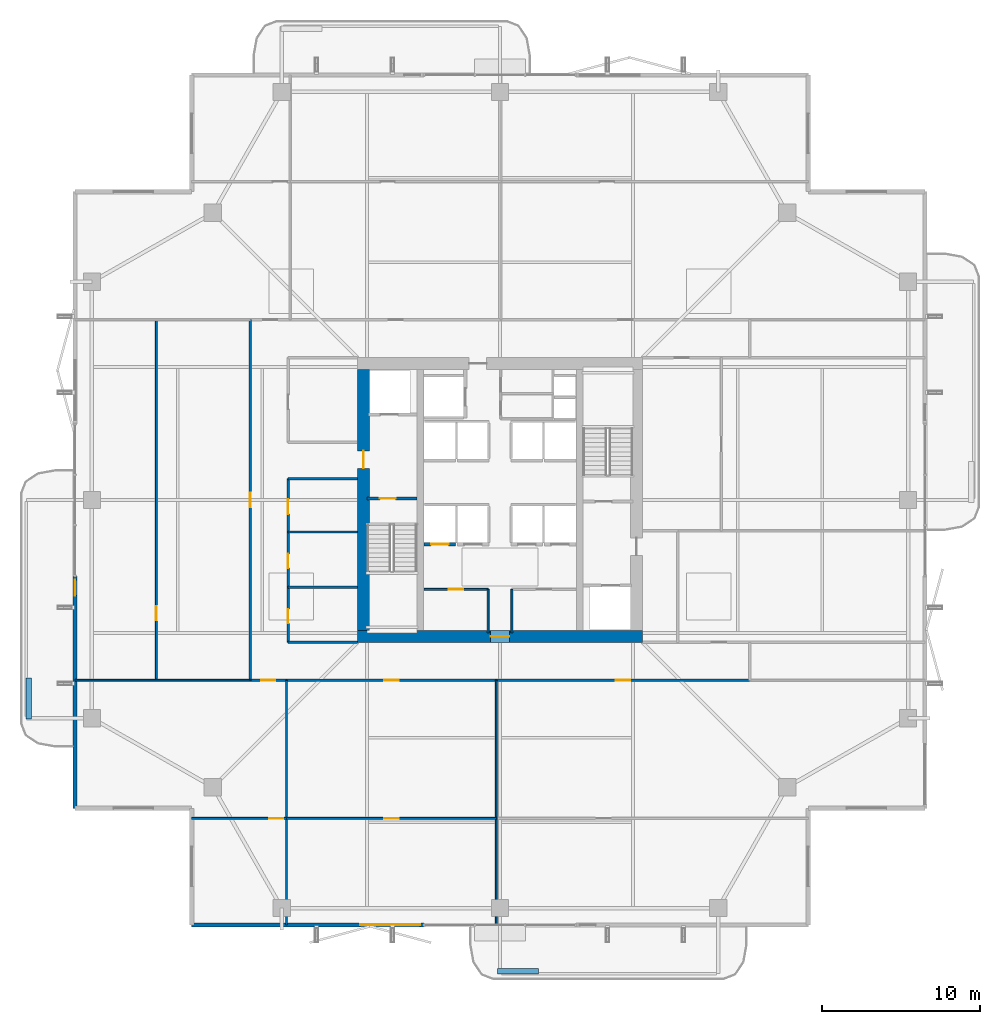
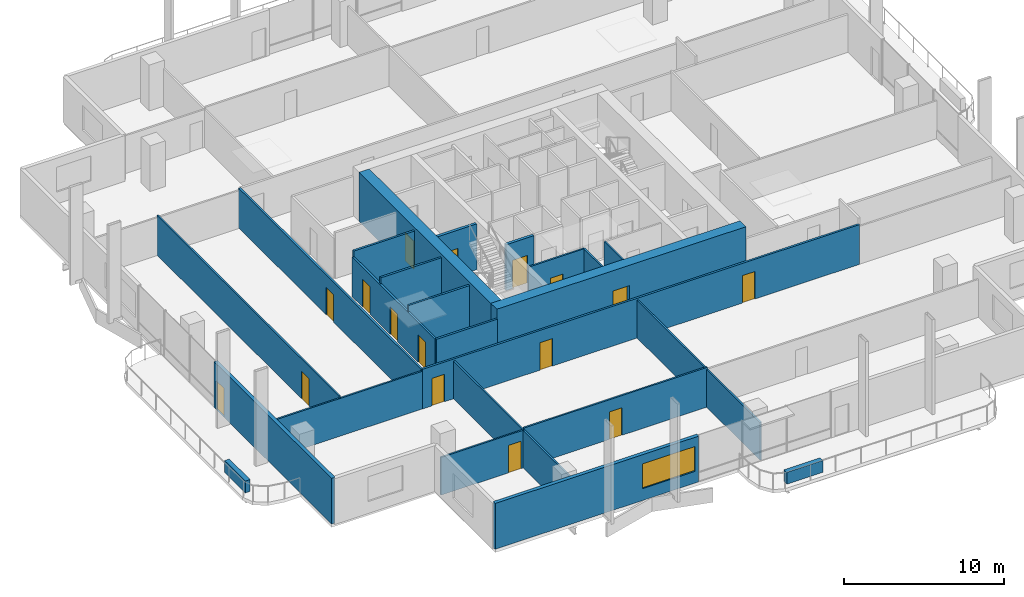
# One storey, part 17 of 24: 24 walls, 16 doors, 1 window, 17 openings.
"""IFC4 building model written with IfcOpenShell, lengths in metres."""

from ifc_helpers import new_model, si_unit, direction, frame, frame_2d, origin, place, context, subcontext, project, spatial, rectangle, extrude, material, layer, layer_set, type_object, element, fill, save


model = new_model("IFC4")

# Units and contexts
model_context = context("Model", 3, precision=1e-05, world=origin(), true_north=direction((0.0, 1.0)))
body_context = subcontext(model_context, "Body", "Model", "MODEL_VIEW")
ifc_project = project(units=[si_unit("LENGTHUNIT", "METRE"), si_unit("AREAUNIT", "SQUARE_METRE"), si_unit("VOLUMEUNIT", "CUBIC_METRE"), si_unit("PLANEANGLEUNIT", "RADIAN"), si_unit("MASSUNIT", "GRAM", prefix="KILO")], contexts=[model_context])

# Site, building, storey
site_placement = place(None, origin())
site = spatial("IfcSite", under=ifc_project, at=site_placement, CompositionType="ELEMENT")
building_placement = place(site_placement, origin())
building = spatial("IfcBuilding", under=site, at=building_placement, Name="Belovzor Exchange Tower", CompositionType="ELEMENT")
storey_placement = place(building_placement, frame((0.0, 0.0, 211.199951171875)))
storey = spatial("IfcBuildingStorey", under=building, at=storey_placement, Name="L52", CompositionType="ELEMENT", Elevation=211.199951171875)

# Wall, opening, door
ifc_material_1 = material(Name="Acoustic Plasterboard on Galvanised Studs", Category="gypsum")
ifc_layer_1 = layer(ifc_material_1, 0.1201171875)
ifc_layer_set_1 = layer_set([ifc_layer_1], Name="Acoustic Plasterboard on Galvanised Studs")
wall_type_1 = type_object("IfcWallType", Name="Acoustic Double-Stud Partition Wall 120", PredefinedType="PARTITIONING", material=ifc_layer_set_1)
wall_1_placement = place(storey_placement, frame((9.300048828125, 8.6650390625, 0.0), z_axis=(0.0, 0.0, 1.0), x_axis=(1.0, 0.0, 0.0)))
wall_1 = element("IfcWall", 1, at=wall_1_placement, inside=storey, type_object=wall_type_1, Name="W-P120 Partition Wall W-L52-SHDIV-0", PredefinedType="PARTITIONING", context=body_context, shape_type="SweptSolid", body=[
    extrude(rectangle(XDim=6.0, YDim=0.1201171875, at=frame_2d((3.0, 0.0))), origin(), (0.0, 0.0, 1.0), 2.885009765625),
])
opening_1_placement = place(wall_1_placement, frame((4.89990234375, 0.0, 0.0)))
opening_1 = element("IfcOpeningElement", 2, at=opening_1_placement, cuts=wall_1, Name="Opening D-INT-090", PredefinedType="OPENING", context=body_context, shape_type="SweptSolid", body=[
    extrude(rectangle(XDim=0.89990234375, YDim=2.10009765625, at=frame_2d((0.449951171875, 1.050048828125))), frame((0.0, 0.070068359375, 0.0), z_axis=(0.0, -1.0, 0.0), x_axis=(1.0, 0.0, 0.0)), (0.0, 0.0, 1.0), 0.14013671875),
])
ifc_material_2 = material(Name="Veneered Hardwood Acoustic Leaf", Category="wood")
door_type_1 = type_object("IfcDoorType", Name="Trading Suite Acoustic Single Door 900x2100", OperationType="NOTDEFINED", PredefinedType="DOOR", material=ifc_material_2)
door_1_placement = place(opening_1_placement, origin())
door_1 = element("IfcDoor", 3, at=door_1_placement, inside=storey, type_object=door_type_1, Name="D-INT-090 Trading Suite Acoustic Single Door 900x2100", OperationType="SINGLE_SWING_LEFT", OverallHeight=2.10009765625, OverallWidth=0.89990234375, PredefinedType="DOOR", context=body_context, shape_type="SweptSolid", body=[
    extrude(rectangle(XDim=0.89990234375, YDim=2.10009765625, at=frame_2d((0.449951171875, 1.050048828125))), frame((0.0, 0.02490234375, 0.0), z_axis=(0.0, -1.0, 0.0), x_axis=(1.0, 0.0, 0.0)), (0.0, 0.0, 1.0), 0.050048828125),
])
fill(opening_1, door_1)

# Wall
wall_2_placement = place(storey_placement, frame((15.300048828125, 1.929931640625, 0.0), z_axis=(0.0, 0.0, 1.0), x_axis=(0.0, 1.0, 0.0)))
element("IfcWall", 4, at=wall_2_placement, inside=storey, type_object=wall_type_1, Name="W-P120 Partition Wall W-L52-SDIV-1", PredefinedType="PARTITIONING", context=body_context, shape_type="SweptSolid", body=[
    extrude(rectangle(XDim=15.469970703125, YDim=0.1201171875, at=frame_2d((7.73486328125, 0.0))), origin(), (0.0, 0.0, 1.0), 2.885009765625),
])

# Wall, opening, door
wall_3_placement = place(storey_placement, frame((15.300048828125, 8.6650390625, 0.0), z_axis=(0.0, 0.0, 1.0), x_axis=(1.0, 0.0, 0.0)))
wall_3 = element("IfcWall", 5, at=wall_3_placement, inside=storey, type_object=wall_type_1, Name="W-P120 Partition Wall W-L52-SHDIV-1", PredefinedType="PARTITIONING", context=body_context, shape_type="SweptSolid", body=[
    extrude(rectangle(XDim=13.265869140625, YDim=0.1201171875, at=frame_2d((6.6328125, 0.0))), origin(), (0.0, 0.0, 1.0), 3.03515625),
])
opening_2_placement = place(wall_3_placement, frame((6.18310546875, 0.0, 0.0)))
opening_2 = element("IfcOpeningElement", 6, at=opening_2_placement, cuts=wall_3, Name="Opening D-INT-090", PredefinedType="OPENING", context=body_context, shape_type="SweptSolid", body=[
    extrude(rectangle(XDim=0.89990234375, YDim=2.10009765625, at=frame_2d((0.449951171875, 1.050048828125))), frame((0.0, 0.070068359375, 0.0), z_axis=(0.0, -1.0, 0.0), x_axis=(1.0, 0.0, 0.0)), (0.0, 0.0, 1.0), 0.14013671875),
])
door_2_placement = place(opening_2_placement, origin())
door_2 = element("IfcDoor", 7, at=door_2_placement, inside=storey, type_object=door_type_1, Name="D-INT-090 Trading Suite Acoustic Single Door 900x2100", OperationType="SINGLE_SWING_LEFT", OverallHeight=2.10009765625, OverallWidth=0.89990234375, PredefinedType="DOOR", context=body_context, shape_type="SweptSolid", body=[
    extrude(rectangle(XDim=0.89990234375, YDim=2.10009765625, at=frame_2d((0.449951171875, 1.050048828125))), frame((0.0, 0.02490234375, 0.0), z_axis=(0.0, -1.0, 0.0), x_axis=(1.0, 0.0, 0.0)), (0.0, 0.0, 1.0), 0.050048828125),
])
fill(opening_2, door_2)

# Wall
wall_4_placement = place(storey_placement, frame((28.56591796875, 1.929931640625, 0.0), z_axis=(0.0, 0.0, 1.0), x_axis=(0.0, 1.0, 0.0)))
element("IfcWall", 8, at=wall_4_placement, inside=storey, type_object=wall_type_1, Name="W-P120 Partition Wall W-L52-SDIV-2", PredefinedType="PARTITIONING", context=body_context, shape_type="SweptSolid", body=[
    extrude(rectangle(XDim=15.469970703125, YDim=0.1201171875, at=frame_2d((7.73486328125, 0.0))), origin(), (0.0, 0.0, 1.0), 2.885009765625),
])

# Wall, opening, door
wall_5_placement = place(storey_placement, frame((7.072998046875, 17.39990234375, 0.0), z_axis=(0.0, 0.0, 1.0), x_axis=(0.0, 1.0, 0.0)))
wall_5 = element("IfcWall", 9, at=wall_5_placement, inside=storey, type_object=wall_type_1, Name="W-P120 Partition Wall W-L52-WHDIV-0", PredefinedType="PARTITIONING", context=body_context, shape_type="SweptSolid", body=[
    extrude(rectangle(XDim=22.800048828125, YDim=0.1201171875, at=frame_2d((11.39990234375, 0.0))), origin(), (0.0, 0.0, 1.0), 3.03515625),
])
opening_3_placement = place(wall_5_placement, frame((3.782958984375, 0.0, 0.0)))
opening_3 = element("IfcOpeningElement", 10, at=opening_3_placement, cuts=wall_5, Name="Opening D-INT-090", PredefinedType="OPENING", context=body_context, shape_type="SweptSolid", body=[
    extrude(rectangle(XDim=0.89990234375, YDim=2.10009765625, at=frame_2d((0.449951171875, 1.050048828125))), frame((0.0, 0.070068359375, 0.0), z_axis=(0.0, -1.0, 0.0), x_axis=(1.0, 0.0, 0.0)), (0.0, 0.0, 1.0), 0.14013671875),
])
door_3_placement = place(opening_3_placement, origin())
door_3 = element("IfcDoor", 11, at=door_3_placement, inside=storey, type_object=door_type_1, Name="D-INT-090 Trading Suite Acoustic Single Door 900x2100", OperationType="SINGLE_SWING_LEFT", OverallHeight=2.10009765625, OverallWidth=0.89990234375, PredefinedType="DOOR", context=body_context, shape_type="SweptSolid", body=[
    extrude(rectangle(XDim=0.89990234375, YDim=2.10009765625, at=frame_2d((0.449951171875, 1.050048828125))), frame((0.0, 0.02490234375, 0.0), z_axis=(0.0, -1.0, 0.0), x_axis=(1.0, 0.0, 0.0)), (0.0, 0.0, 1.0), 0.050048828125),
])
fill(opening_3, door_3)

# Wall
wall_6_placement = place(storey_placement, frame((1.929931640625, 17.39990234375, 0.0), z_axis=(0.0, 0.0, 1.0), x_axis=(1.0, 0.0, 0.0)))
element("IfcWall", 12, at=wall_6_placement, inside=storey, type_object=wall_type_1, Name="W-P120 Partition Wall W-L52-END-SW", PredefinedType="PARTITIONING", context=body_context, shape_type="SweptSolid", body=[
    extrude(rectangle(XDim=11.070068359375, YDim=0.1201171875, at=frame_2d((5.53515625, 0.0))), origin(), (0.0, 0.0, 1.0), 2.885009765625),
])

# Wall, opening, door
ifc_material_3 = material(Name="Fire-Rated Plasterboard on Galvanised Studs", Category="gypsum")
ifc_layer_2 = layer(ifc_material_3, 0.1201171875)
ifc_layer_set_2 = layer_set([ifc_layer_2], Name="Fire-Rated Plasterboard on Galvanised Studs")
wall_type_2 = type_object("IfcWallType", Name="Fire-Rated Double-Stud Partition Wall 120", PredefinedType="PARTITIONING", material=ifc_layer_set_2)
wall_7_placement = place(storey_placement, frame((24.0, 23.14990234375, 0.0), z_axis=(0.0, 0.0, 1.0), x_axis=(1.0, 0.0, 0.0)))
wall_7 = element("IfcWall", 13, at=wall_7_placement, inside=storey, type_object=wall_type_2, Name="W-P120F Partition Wall W-CRL-L52-WN", PredefinedType="PARTITIONING", context=body_context, shape_type="SweptSolid", body=[
    extrude(rectangle(XDim=4.050048828125, YDim=0.1201171875, at=frame_2d((2.02490234375, 0.0))), origin(), (0.0, 0.0, 1.0), 3.5),
])
opening_4_placement = place(wall_7_placement, frame((1.574951171875, 0.0, 0.0)))
opening_4 = element("IfcOpeningElement", 14, at=opening_4_placement, cuts=wall_7, Name="Opening D-FD60-090", PredefinedType="OPENING", context=body_context, shape_type="SweptSolid", body=[
    extrude(rectangle(XDim=0.89990234375, YDim=2.10009765625, at=frame_2d((0.449951171875, 1.050048828125))), frame((0.0, 0.070068359375, 0.0), z_axis=(0.0, -1.0, 0.0), x_axis=(1.0, 0.0, 0.0)), (0.0, 0.0, 1.0), 0.14013671875),
])
ifc_material_4 = material(Name="Acoustic Timber Fire Leaf", Category="wood")
door_type_2 = type_object("IfcDoorType", Name="Core Service & Restroom Fire Door 900x2100", OperationType="NOTDEFINED", PredefinedType="DOOR", material=ifc_material_4)
door_4_placement = place(opening_4_placement, origin())
door_4 = element("IfcDoor", 15, at=door_4_placement, inside=storey, type_object=door_type_2, Name="D-FD60-090 Core Service & Restroom Fire Door 900x2100", OperationType="SINGLE_SWING_LEFT", OverallHeight=2.10009765625, OverallWidth=0.89990234375, PredefinedType="DOOR", context=body_context, shape_type="SweptSolid", body=[
    extrude(rectangle(XDim=0.89990234375, YDim=2.10009765625, at=frame_2d((0.449951171875, 1.050048828125))), frame((0.0, 0.02490234375, 0.0), z_axis=(0.0, -1.0, 0.0), x_axis=(1.0, 0.0, 0.0)), (0.0, 0.0, 1.0), 0.050048828125),
])
fill(opening_4, door_4)

# Walls
for number, where, z_axis, x_axis, name in (
    (16, (28.050048828125, 20.39990234375, 0.0), (0.0, 0.0, 1.0), (0.0, 1.0, 0.0), "W-P120F Partition Wall W-CRL-L52-WE"),
    (17, (29.550048828125, 20.39990234375, 0.0), (0.0, 0.0, 1.0), (0.0, 1.0, 0.0), "W-P120F Partition Wall W-CRL-L52-EW"),
):
    element("IfcWall", number, at=place(storey_placement, frame(where, z_axis=z_axis, x_axis=x_axis)), inside=storey, type_object=wall_type_2, Name=name, PredefinedType="PARTITIONING", context=body_context, shape_type="SweptSolid", body=[
        extrude(rectangle(XDim=2.75, YDim=0.1201171875, at=frame_2d((1.375, 0.0))), origin(), (0.0, 0.0, 1.0), 3.5),
    ])
ifc_material_5 = material(Name="Fire-Rated Gypsum Block and Mineral Wool", Category="gypsum")
ifc_layer_3 = layer(ifc_material_5, 0.14990234375)
ifc_layer_set_3 = layer_set([ifc_layer_3], Name="Fire-Rated Gypsum Block and Mineral Wool")
wall_type_3 = type_object("IfcWallType", Name="Fire-Rated Gypsum Block Corridor Wall 150", PredefinedType="PARTITIONING", material=ifc_layer_set_3)
wall_8_placement = place(storey_placement, frame((15.39990234375, 19.800048828125, 0.0), z_axis=(0.0, 0.0, 1.0), x_axis=(1.0, 0.0, 0.0)))
element("IfcWall", 18, at=wall_8_placement, inside=storey, type_object=wall_type_3, Name="W-P150 Partition Wall W-L52-WIC-S", PredefinedType="PARTITIONING", context=body_context, shape_type="SweptSolid", body=[
    extrude(rectangle(XDim=4.400146484375, YDim=0.14990234375, at=frame_2d((2.2001953125, 0.0))), origin(), (0.0, 0.0, 1.0), 3.03515625),
])
for number, where, z_axis, x_axis, name in (
    (19, (15.39990234375, 23.27490234375, 0.0), (0.0, 0.0, 1.0), (1.0, 0.0, 0.0), "W-P150 Partition Wall W-L52-WIC-D1"),
    (20, (15.39990234375, 26.77490234375, 0.0), (0.0, 0.0, 1.0), (1.0, 0.0, 0.0), "W-P150 Partition Wall W-L52-WIC-D2"),
    (21, (15.39990234375, 30.14990234375, 0.0), (0.0, 0.0, 1.0), (1.0, 0.0, 0.0), "W-P150 Partition Wall W-L52-WIC-N"),
):
    element("IfcWall", number, at=place(storey_placement, frame(where, z_axis=z_axis, x_axis=x_axis)), inside=storey, type_object=wall_type_3, Name=name, PredefinedType="PARTITIONING", context=body_context, shape_type="SweptSolid", body=[
        extrude(rectangle(XDim=4.400146484375, YDim=0.14990234375, at=frame_2d((2.2001953125, 0.0))), origin(), (0.0, 0.0, 1.0), 3.5),
    ])

# Wall, openings, doors
wall_9_placement = place(storey_placement, frame((15.39990234375, 19.800048828125, 0.0), z_axis=(0.0, 0.0, 1.0), x_axis=(0.0, 1.0, 0.0)))
wall_9 = element("IfcWall", 22, at=wall_9_placement, inside=storey, type_object=wall_type_3, Name="W-P150 Partition Wall W-L52-WIE-S", PredefinedType="PARTITIONING", context=body_context, shape_type="SweptSolid", body=[
    extrude(rectangle(XDim=10.349853515625, YDim=0.14990234375, at=frame_2d((5.1748046875, 0.0))), origin(), (0.0, 0.0, 1.0), 3.03515625),
])
opening_5_placement = place(wall_9_placement, frame((1.199951171875, 0.0, 0.0)))
opening_5 = element("IfcOpeningElement", 23, at=opening_5_placement, cuts=wall_9, Name="Opening D-FD60-090", PredefinedType="OPENING", context=body_context, shape_type="SweptSolid", body=[
    extrude(rectangle(XDim=0.89990234375, YDim=2.10009765625, at=frame_2d((0.449951171875, 1.050048828125))), frame((0.0, 0.0849609375, 0.0), z_axis=(0.0, -1.0, 0.0), x_axis=(1.0, 0.0, 0.0)), (0.0, 0.0, 1.0), 0.169921875),
])
opening_6_placement = place(wall_9_placement, frame((4.699951171875, 0.0, 0.0)))
opening_6 = element("IfcOpeningElement", 24, at=opening_6_placement, cuts=wall_9, Name="Opening D-FD60-090", PredefinedType="OPENING", context=body_context, shape_type="SweptSolid", body=[
    extrude(rectangle(XDim=0.89990234375, YDim=2.10009765625, at=frame_2d((0.449951171875, 1.050048828125))), frame((0.0, 0.0849609375, 0.0), z_axis=(0.0, -1.0, 0.0), x_axis=(1.0, 0.0, 0.0)), (0.0, 0.0, 1.0), 0.169921875),
])
opening_7_placement = place(wall_9_placement, frame((8.10009765625, 0.0, 0.0)))
opening_7 = element("IfcOpeningElement", 25, at=opening_7_placement, cuts=wall_9, Name="Opening D-FD60-095", PredefinedType="OPENING", context=body_context, shape_type="SweptSolid", body=[
    extrude(rectangle(XDim=0.949951171875, YDim=2.10009765625, at=frame_2d((0.47509765625, 1.050048828125))), frame((0.0, 0.0849609375, 0.0), z_axis=(0.0, -1.0, 0.0), x_axis=(1.0, 0.0, 0.0)), (0.0, 0.0, 1.0), 0.169921875),
])
ifc_material_6 = material(Name="Moisture-Resistant Timber Fire Leaf", Category="wood")
door_type_3 = type_object("IfcDoorType", Name="Accessible Restroom Wide Fire Door 950x2100", OperationType="NOTDEFINED", PredefinedType="DOOR", material=ifc_material_6)
door_5_placement = place(opening_7_placement, origin())
door_5 = element("IfcDoor", 26, at=door_5_placement, inside=storey, type_object=door_type_3, Name="D-FD60-095 Accessible Restroom Wide Fire Door 950x2100", OperationType="SINGLE_SWING_LEFT", OverallHeight=2.10009765625, OverallWidth=0.949951171875, PredefinedType="DOOR", context=body_context, shape_type="SweptSolid", body=[
    extrude(rectangle(XDim=0.949951171875, YDim=2.10009765625, at=frame_2d((0.47509765625, 1.050048828125))), frame((0.0, 0.02490234375, 0.0), z_axis=(0.0, -1.0, 0.0), x_axis=(1.0, 0.0, 0.0)), (0.0, 0.0, 1.0), 0.050048828125),
])
fill(opening_7, door_5)
door_6_placement = place(opening_5_placement, origin())
door_6 = element("IfcDoor", 27, at=door_6_placement, inside=storey, type_object=door_type_2, Name="D-FD60-090 Core Service & Restroom Fire Door 900x2100", OperationType="SINGLE_SWING_LEFT", OverallHeight=2.10009765625, OverallWidth=0.89990234375, PredefinedType="DOOR", context=body_context, shape_type="SweptSolid", body=[
    extrude(rectangle(XDim=0.89990234375, YDim=2.10009765625, at=frame_2d((0.449951171875, 1.050048828125))), frame((0.0, 0.02490234375, 0.0), z_axis=(0.0, -1.0, 0.0), x_axis=(1.0, 0.0, 0.0)), (0.0, 0.0, 1.0), 0.050048828125),
])
fill(opening_5, door_6)
door_7_placement = place(opening_6_placement, origin())
door_7 = element("IfcDoor", 28, at=door_7_placement, inside=storey, type_object=door_type_2, Name="D-FD60-090 Core Service & Restroom Fire Door 900x2100", OperationType="SINGLE_SWING_RIGHT", OverallHeight=2.10009765625, OverallWidth=0.89990234375, PredefinedType="DOOR", context=body_context, shape_type="SweptSolid", body=[
    extrude(rectangle(XDim=0.89990234375, YDim=2.10009765625, at=frame_2d((0.449951171875, 1.050048828125))), frame((0.0, 0.02490234375, 0.0), z_axis=(0.0, -1.0, 0.0), x_axis=(1.0, 0.0, 0.0)), (0.0, 0.0, 1.0), 0.050048828125),
])
fill(opening_6, door_7)

wall_10_placement = place(storey_placement, frame((13.0, 17.39990234375, 0.0), z_axis=(0.0, 0.0, 1.0), x_axis=(1.0, 0.0, 0.0)))
wall_10 = element("IfcWall", 29, at=wall_10_placement, inside=storey, type_object=wall_type_3, Name="W-P150 Partition Wall W-L52-CS", PredefinedType="PARTITIONING", context=body_context, shape_type="SweptSolid", body=[
    extrude(rectangle(XDim=31.60009765625, YDim=0.14990234375, at=frame_2d((15.800048828125, 0.0))), origin(), (0.0, 0.0, 1.0), 3.03515625),
])
opening_8_placement = place(wall_10_placement, frame((0.699951171875, 0.0, 0.0)))
opening_8 = element("IfcOpeningElement", 30, at=opening_8_placement, cuts=wall_10, Name="Opening D-INT-090", PredefinedType="OPENING", context=body_context, shape_type="SweptSolid", body=[
    extrude(rectangle(XDim=0.89990234375, YDim=2.10009765625, at=frame_2d((0.449951171875, 1.050048828125))), frame((0.0, 0.0849609375, 0.0), z_axis=(0.0, -1.0, 0.0), x_axis=(1.0, 0.0, 0.0)), (0.0, 0.0, 1.0), 0.169921875),
])
opening_9_placement = place(wall_10_placement, frame((8.48291015625, 0.0, 0.0)))
opening_9 = element("IfcOpeningElement", 31, at=opening_9_placement, cuts=wall_10, Name="Opening D-INT-090", PredefinedType="OPENING", context=body_context, shape_type="SweptSolid", body=[
    extrude(rectangle(XDim=0.89990234375, YDim=2.10009765625, at=frame_2d((0.449951171875, 1.050048828125))), frame((0.0, 0.0849609375, 0.0), z_axis=(0.0, -1.0, 0.0), x_axis=(1.0, 0.0, 0.0)), (0.0, 0.0, 1.0), 0.169921875),
])
opening_10_placement = place(wall_10_placement, frame((23.133056640625, 0.0, 0.0)))
opening_10 = element("IfcOpeningElement", 32, at=opening_10_placement, cuts=wall_10, Name="Opening D-INT-090", PredefinedType="OPENING", context=body_context, shape_type="SweptSolid", body=[
    extrude(rectangle(XDim=0.89990234375, YDim=2.10009765625, at=frame_2d((0.449951171875, 1.050048828125))), frame((0.0, 0.0849609375, 0.0), z_axis=(0.0, -1.0, 0.0), x_axis=(1.0, 0.0, 0.0)), (0.0, 0.0, 1.0), 0.169921875),
])
door_8_placement = place(opening_8_placement, origin())
door_8 = element("IfcDoor", 33, at=door_8_placement, inside=storey, type_object=door_type_1, Name="D-INT-090 Trading Suite Acoustic Single Door 900x2100", OperationType="SINGLE_SWING_LEFT", OverallHeight=2.10009765625, OverallWidth=0.89990234375, PredefinedType="DOOR", context=body_context, shape_type="SweptSolid", body=[
    extrude(rectangle(XDim=0.89990234375, YDim=2.10009765625, at=frame_2d((0.449951171875, 1.050048828125))), frame((0.0, 0.02490234375, 0.0), z_axis=(0.0, -1.0, 0.0), x_axis=(1.0, 0.0, 0.0)), (0.0, 0.0, 1.0), 0.050048828125),
])
fill(opening_8, door_8)
door_9_placement = place(opening_9_placement, origin())
door_9 = element("IfcDoor", 34, at=door_9_placement, inside=storey, type_object=door_type_1, Name="D-INT-090 Trading Suite Acoustic Single Door 900x2100", OperationType="SINGLE_SWING_RIGHT", OverallHeight=2.10009765625, OverallWidth=0.89990234375, PredefinedType="DOOR", context=body_context, shape_type="SweptSolid", body=[
    extrude(rectangle(XDim=0.89990234375, YDim=2.10009765625, at=frame_2d((0.449951171875, 1.050048828125))), frame((0.0, 0.02490234375, 0.0), z_axis=(0.0, -1.0, 0.0), x_axis=(1.0, 0.0, 0.0)), (0.0, 0.0, 1.0), 0.050048828125),
])
fill(opening_9, door_9)
door_10_placement = place(opening_10_placement, origin())
door_10 = element("IfcDoor", 35, at=door_10_placement, inside=storey, type_object=door_type_1, Name="D-INT-090 Trading Suite Acoustic Single Door 900x2100", OperationType="SINGLE_SWING_LEFT", OverallHeight=2.10009765625, OverallWidth=0.89990234375, PredefinedType="DOOR", context=body_context, shape_type="SweptSolid", body=[
    extrude(rectangle(XDim=0.89990234375, YDim=2.10009765625, at=frame_2d((0.449951171875, 1.050048828125))), frame((0.0, 0.02490234375, 0.0), z_axis=(0.0, -1.0, 0.0), x_axis=(1.0, 0.0, 0.0)), (0.0, 0.0, 1.0), 0.050048828125),
])
fill(opening_10, door_10)

# Wall, opening, door
wall_11_placement = place(storey_placement, frame((13.0, 17.39990234375, 0.0), z_axis=(0.0, 0.0, 1.0), x_axis=(0.0, 1.0, 0.0)))
wall_11 = element("IfcWall", 36, at=wall_11_placement, inside=storey, type_object=wall_type_3, Name="W-P150 Partition Wall W-L52-CWO", PredefinedType="PARTITIONING", context=body_context, shape_type="SweptSolid", body=[
    extrude(rectangle(XDim=22.800048828125, YDim=0.14990234375, at=frame_2d((11.39990234375, 0.0))), origin(), (0.0, 0.0, 1.0), 3.03515625),
])
opening_11_placement = place(wall_11_placement, frame((10.949951171875, 0.0, 0.0)))
opening_11 = element("IfcOpeningElement", 37, at=opening_11_placement, cuts=wall_11, Name="Opening D-INT-090", PredefinedType="OPENING", context=body_context, shape_type="SweptSolid", body=[
    extrude(rectangle(XDim=0.89990234375, YDim=2.10009765625, at=frame_2d((0.449951171875, 1.050048828125))), frame((0.0, 0.0849609375, 0.0), z_axis=(0.0, -1.0, 0.0), x_axis=(1.0, 0.0, 0.0)), (0.0, 0.0, 1.0), 0.169921875),
])
door_11_placement = place(opening_11_placement, origin())
door_11 = element("IfcDoor", 38, at=door_11_placement, inside=storey, type_object=door_type_1, Name="D-INT-090 Trading Suite Acoustic Single Door 900x2100", OperationType="SINGLE_SWING_LEFT", OverallHeight=2.10009765625, OverallWidth=0.89990234375, PredefinedType="DOOR", context=body_context, shape_type="SweptSolid", body=[
    extrude(rectangle(XDim=0.89990234375, YDim=2.10009765625, at=frame_2d((0.449951171875, 1.050048828125))), frame((0.0, 0.02490234375, 0.0), z_axis=(0.0, -1.0, 0.0), x_axis=(1.0, 0.0, 0.0)), (0.0, 0.0, 1.0), 0.050048828125),
])
fill(opening_11, door_11)

# Wall, opening, window
ifc_material_7 = material(Name="Precast concrete C40/50", Category="concrete")
ifc_layer_4 = layer(ifc_material_7, 0.260009765625)
ifc_layer_set_4 = layer_set([ifc_layer_4], Name="Precast concrete C40/50")
wall_type_4 = type_object("IfcWallType", Name="Precast Concrete Perimeter Loggia Frame Wall 260", PredefinedType="SOLIDWALL", material=ifc_layer_set_4)
wall_12_placement = place(storey_placement, frame((24.0, 1.929931640625, 0.0), z_axis=(0.0, 0.0, 1.0), x_axis=(-1.0, 0.0, 0.0)))
wall_12 = element("IfcWall", 39, at=wall_12_placement, inside=storey, type_object=wall_type_4, Name="W-EXT260 Precast Concrete Perimeter Loggia Frame Wall 260 L52", PredefinedType="SOLIDWALL", context=body_context, shape_type="SweptSolid", body=[
    extrude(rectangle(XDim=14.699951171875, YDim=0.260009765625, at=frame_2d((7.35009765625, 0.0))), origin(), (0.0, 0.0, 1.0), 3.5),
])
opening_12_placement = place(wall_12_placement, frame((0.25, 0.0, 0.89990234375)))
opening_12 = element("IfcOpeningElement", 40, at=opening_12_placement, cuts=wall_12, Name="Opening WN-RIB380", PredefinedType="OPENING", context=body_context, shape_type="SweptSolid", body=[
    extrude(rectangle(XDim=3.800048828125, YDim=1.89990234375, at=frame_2d((1.89990234375, 0.949951171875))), frame((0.0, 0.139892578125, 0.0), z_axis=(0.0, -1.0, 0.0), x_axis=(1.0, 0.0, 0.0)), (0.0, 0.0, 1.0), 0.280029296875),
])
ifc_material_8 = material(Name="Thermally Broken Aluminium and Triple Glazing", Category="aluminium")
window_type = type_object("IfcWindowType", Name="Streamline Moderne Horizontal Ribbon Window 3800x1900", PartitioningType="SINGLE_PANEL", PredefinedType="WINDOW", material=ifc_material_8)
window_placement = place(opening_12_placement, origin())
window = element("IfcWindow", 41, at=window_placement, inside=storey, type_object=window_type, Name="WN-RIB380 Streamline Moderne Horizontal Ribbon Window 3800x1900", OverallHeight=1.89990234375, OverallWidth=3.800048828125, PartitioningType="SINGLE_PANEL", PredefinedType="WINDOW", context=body_context, shape_type="SweptSolid", body=[
    extrude(rectangle(XDim=3.800048828125, YDim=1.89990234375, at=frame_2d((1.89990234375, 0.949951171875))), frame((0.0, 0.030029296875, 0.0), z_axis=(0.0, -1.0, 0.0), x_axis=(1.0, 0.0, 0.0)), (0.0, 0.0, 1.0), 0.06005859375),
])
fill(opening_12, window)

# Wall, opening, door
wall_13_placement = place(storey_placement, frame((1.929931640625, 9.300048828125, 0.0), z_axis=(0.0, 0.0, 1.0), x_axis=(0.0, 1.0, 0.0)))
wall_13 = element("IfcWall", 42, at=wall_13_placement, inside=storey, type_object=wall_type_4, Name="W-EXT260 Precast Concrete Perimeter Loggia Frame Wall 260 L52", PredefinedType="SOLIDWALL", context=body_context, shape_type="SweptSolid", body=[
    extrude(rectangle(XDim=14.699951171875, YDim=0.260009765625, at=frame_2d((7.35009765625, 0.0))), origin(), (0.0, 0.0, 1.0), 3.5),
])
opening_13_placement = place(wall_13_placement, frame((13.449951171875, 0.0, 0.0)))
opening_13 = element("IfcOpeningElement", 43, at=opening_13_placement, cuts=wall_13, Name="Opening D-BAL100", PredefinedType="OPENING", context=body_context, shape_type="SweptSolid", body=[
    extrude(rectangle(XDim=1.0, YDim=2.199951171875, at=frame_2d((0.5, 1.10009765625))), frame((0.0, 0.139892578125, 0.0), z_axis=(0.0, -1.0, 0.0), x_axis=(1.0, 0.0, 0.0)), (0.0, 0.0, 1.0), 0.280029296875),
])
ifc_material_9 = material(Name="Thermally Broken Anodised Aluminium and Laminated Glass", Category="aluminium")
door_type_4 = type_object("IfcDoorType", Name="Planted Loggia Terrace Glazed Door 1000x2200", OperationType="SINGLE_SWING_LEFT", PredefinedType="DOOR", material=ifc_material_9)
door_12_placement = place(opening_13_placement, origin())
door_12 = element("IfcDoor", 44, at=door_12_placement, inside=storey, type_object=door_type_4, Name="D-BAL100 Balcony Terrace Door L52 W", OperationType="SINGLE_SWING_RIGHT", OverallHeight=2.199951171875, OverallWidth=1.0, PredefinedType="DOOR", context=body_context, shape_type="SweptSolid", body=[
    extrude(rectangle(XDim=1.0, YDim=2.199951171875, at=frame_2d((0.5, 1.10009765625))), frame((0.0, 0.02490234375, 0.0), z_axis=(0.0, -1.0, 0.0), x_axis=(1.0, 0.0, 0.0)), (0.0, 0.0, 1.0), 0.050048828125),
])
fill(opening_13, door_12)

# Walls
ifc_material_10 = material(Name="Precast concrete C40/50", Category="concrete")
ifc_layer_5 = layer(ifc_material_10, 0.35009765625)
ifc_layer_set_5 = layer_set([ifc_layer_5], Name="Precast concrete C40/50")
wall_type_5 = type_object("IfcWallType", Name="Precast Concrete Structural Tree Planter Trough 350", PredefinedType="PARAPET", material=ifc_layer_set_5)
for number, where, z_axis, x_axis, name in (
    (45, (28.64990234375, -1.0, 0.0), (0.0, 0.0, 1.0), (1.0, 0.0, 0.0), "PT-350 Precast Concrete Structural Tree Planter Trough 350 L52"),
    (46, (-1.0, 14.949951171875, 0.0), (0.0, 0.0, 1.0), (0.0, 1.0, 0.0), "PT-350 Precast Concrete Structural Tree Planter Trough 350 L52"),
):
    element("IfcWall", number, at=place(storey_placement, frame(where, z_axis=z_axis, x_axis=x_axis)), inside=storey, type_object=wall_type_5, Name=name, PredefinedType="PARAPET", context=body_context, shape_type="SweptSolid", body=[
        extrude(rectangle(XDim=2.60009765625, YDim=0.35009765625, at=frame_2d((1.300048828125, 0.0))), origin(), (0.0, 0.0, 1.0), 0.900146484375),
    ])

# Wall, opening, door
ifc_material_11 = material(Name="Concrete C50/60", Category="concrete")
ifc_layer_6 = layer(ifc_material_11, 0.199951171875)
ifc_layer_set_6 = layer_set([ifc_layer_6], Name="Concrete C50/60")
wall_type_6 = type_object("IfcWallType", Name="Reinforced Concrete Core Shaft Shear Wall 200", PredefinedType="SHEAR", material=ifc_layer_set_6)
wall_14_placement = place(storey_placement, frame((20.39990234375, 28.89990234375, 0.0), z_axis=(0.0, 0.0, 1.0), x_axis=(1.0, 0.0, 0.0)))
wall_14 = element("IfcWall", 47, at=wall_14_placement, inside=storey, type_object=wall_type_6, Name="W-C200S Core Shaft Wall W-CORE-L52-FFLW1", PredefinedType="SHEAR", context=body_context, shape_type="SweptSolid", body=[
    extrude(rectangle(XDim=3.150146484375, YDim=0.199951171875, at=frame_2d((1.5751953125, 0.0))), origin(), (0.0, 0.0, 1.0), 3.5),
])
opening_14_placement = place(wall_14_placement, frame((0.800048828125, 0.0, 0.0)))
opening_14 = element("IfcOpeningElement", 48, at=opening_14_placement, cuts=wall_14, Name="Opening D-FD90-100", PredefinedType="OPENING", context=body_context, shape_type="SweptSolid", body=[
    extrude(rectangle(XDim=1.0, YDim=2.10009765625, at=frame_2d((0.5, 1.050048828125))), frame((0.0, 0.10986328125, 0.0), z_axis=(0.0, -1.0, 0.0), x_axis=(1.0, 0.0, 0.0)), (0.0, 0.0, 1.0), 0.219970703125),
])
ifc_material_12 = material(Name="Fire-Rated Galvanised Steel Leaf", Category="steel")
door_type_5 = type_object("IfcDoorType", Name="Protected Stairwell Single Fire Door 1000x2100", OperationType="NOTDEFINED", PredefinedType="DOOR", material=ifc_material_12)
door_13_placement = place(opening_14_placement, origin())
door_13 = element("IfcDoor", 49, at=door_13_placement, inside=storey, type_object=door_type_5, Name="D-FD90-100 Protected Stairwell Single Fire Door 1000x2100", OperationType="SINGLE_SWING_RIGHT", OverallHeight=2.10009765625, OverallWidth=1.0, PredefinedType="DOOR", context=body_context, shape_type="SweptSolid", body=[
    extrude(rectangle(XDim=1.0, YDim=2.10009765625, at=frame_2d((0.5, 1.050048828125))), frame((0.0, 0.02490234375, 0.0), z_axis=(0.0, -1.0, 0.0), x_axis=(1.0, 0.0, 0.0)), (0.0, 0.0, 1.0), 0.050048828125),
])
fill(opening_14, door_13)

wall_15_placement = place(storey_placement, frame((24.0, 26.0, 0.0), z_axis=(0.0, 0.0, 1.0), x_axis=(1.0, 0.0, 0.0)))
wall_15 = element("IfcWall", 50, at=wall_15_placement, inside=storey, type_object=wall_type_6, Name="W-C200S Core Shaft Wall W-SH-L52-PL-M1", PredefinedType="SHEAR", context=body_context, shape_type="SweptSolid", body=[
    extrude(rectangle(XDim=2.0, YDim=0.199951171875, at=frame_2d((1.0, 0.0))), origin(), (0.0, 0.0, 1.0), 3.5),
])
opening_15_placement = place(wall_15_placement, frame((0.449951171875, 0.0, 0.0)))
opening_15 = element("IfcOpeningElement", 51, at=opening_15_placement, cuts=wall_15, Name="Opening LD-110", PredefinedType="OPENING", context=body_context, shape_type="SweptSolid", body=[
    extrude(rectangle(XDim=1.10009765625, YDim=2.14990234375, at=frame_2d((0.550048828125, 1.074951171875))), frame((0.0, 0.10986328125, 0.0), z_axis=(0.0, -1.0, 0.0), x_axis=(1.0, 0.0, 0.0)), (0.0, 0.0, 1.0), 0.219970703125),
])
ifc_material_13 = material(Name="Stainless Steel Grade 304", Category="steel")
door_type_6 = type_object("IfcDoorType", Name="Automated Stainless Steel Lift Landing Door 1100x2150", OperationType="SLIDING_TO_RIGHT", PredefinedType="DOOR", material=ifc_material_13)
door_14_placement = place(opening_15_placement, origin())
door_14 = element("IfcDoor", 52, at=door_14_placement, inside=storey, type_object=door_type_6, Name="LD-110 Automated Stainless Steel Lift Landing Door 1100x2150", OperationType="SLIDING_TO_RIGHT", OverallHeight=2.14990234375, OverallWidth=1.10009765625, PredefinedType="DOOR", context=body_context, shape_type="SweptSolid", body=[
    extrude(rectangle(XDim=1.10009765625, YDim=2.14990234375, at=frame_2d((0.550048828125, 1.074951171875))), frame((0.0, 0.02490234375, 0.0), z_axis=(0.0, -1.0, 0.0), x_axis=(1.0, 0.0, 0.0)), (0.0, 0.0, 1.0), 0.050048828125),
])
fill(opening_15, door_14)

ifc_material_14 = material(Name="Concrete C50/60", Category="concrete")
ifc_layer_7 = layer(ifc_material_14, 0.75)
ifc_layer_set_7 = layer_set([ifc_layer_7], Name="Concrete C50/60")
wall_type_7 = type_object("IfcWallType", Name="Reinforced Concrete Core Shear Wall 750", PredefinedType="SHEAR", material=ifc_layer_set_7)
wall_16_placement = place(storey_placement, frame((19.800048828125, 20.175048828125, 0.0), z_axis=(0.0, 0.0, 1.0), x_axis=(1.0, 0.0, 0.0)))
wall_16 = element("IfcWall", 53, at=wall_16_placement, inside=storey, type_object=wall_type_7, Name="CW-S075 Core Shear Wall L52 S", PredefinedType="SHEAR", context=body_context, shape_type="SweptSolid", body=[
    extrude(rectangle(XDim=18.0, YDim=0.75, at=frame_2d((9.0, 0.0))), origin(), (0.0, 0.0, 1.0), 3.75),
])
opening_16_placement = place(wall_16_placement, frame((8.39990234375, 0.0, 0.0)))
opening_16 = element("IfcOpeningElement", 54, at=opening_16_placement, cuts=wall_16, Name="Opening D-FD90-120", PredefinedType="OPENING", context=body_context, shape_type="SweptSolid", body=[
    extrude(rectangle(XDim=1.199951171875, YDim=2.199951171875, at=frame_2d((0.60009765625, 1.10009765625))), frame((0.0, 0.385009765625, 0.0), z_axis=(0.0, -1.0, 0.0), x_axis=(1.0, 0.0, 0.0)), (0.0, 0.0, 1.0), 0.77001953125),
])
ifc_material_15 = material(Name="Fire-Rated Galvanised Steel Leaf", Category="steel")
door_type_7 = type_object("IfcDoorType", Name="Heavy Plant & Foyer Fire Door 1200x2200", OperationType="NOTDEFINED", PredefinedType="DOOR", material=ifc_material_15)
door_15_placement = place(opening_16_placement, origin())
door_15 = element("IfcDoor", 55, at=door_15_placement, inside=storey, type_object=door_type_7, Name="D-FD90-120 Heavy Plant & Foyer Fire Door 1200x2200", OperationType="SINGLE_SWING_LEFT", OverallHeight=2.199951171875, OverallWidth=1.199951171875, PredefinedType="DOOR", context=body_context, shape_type="SweptSolid", body=[
    extrude(rectangle(XDim=1.199951171875, YDim=2.199951171875, at=frame_2d((0.60009765625, 1.10009765625))), frame((0.0, 0.02490234375, 0.0), z_axis=(0.0, -1.0, 0.0), x_axis=(1.0, 0.0, 0.0)), (0.0, 0.0, 1.0), 0.050048828125),
])
fill(opening_16, door_15)

wall_17_placement = place(storey_placement, frame((20.175048828125, 20.550048828125, 0.0), z_axis=(0.0, 0.0, 1.0), x_axis=(0.0, 1.0, 0.0)))
wall_17 = element("IfcWall", 56, at=wall_17_placement, inside=storey, type_object=wall_type_7, Name="CW-S075 Core Shear Wall L52 W", PredefinedType="SHEAR", context=body_context, shape_type="SweptSolid", body=[
    extrude(rectangle(XDim=16.5, YDim=0.75, at=frame_2d((8.25, 0.0))), origin(), (0.0, 0.0, 1.0), 3.75),
])
opening_17_placement = place(wall_17_placement, frame((10.25, 0.0, 0.0)))
opening_17 = element("IfcOpeningElement", 57, at=opening_17_placement, cuts=wall_17, Name="Opening D-FD90-110", PredefinedType="OPENING", context=body_context, shape_type="SweptSolid", body=[
    extrude(rectangle(XDim=1.10009765625, YDim=2.14990234375, at=frame_2d((0.550048828125, 1.074951171875))), frame((0.0, 0.385009765625, 0.0), z_axis=(0.0, -1.0, 0.0), x_axis=(1.0, 0.0, 0.0)), (0.0, 0.0, 1.0), 0.77001953125),
])
ifc_material_16 = material(Name="Fire-Rated Galvanised Steel Leaf", Category="steel")
door_type_8 = type_object("IfcDoorType", Name="Protected Escape Vestibule Fire Door 1100x2150", OperationType="NOTDEFINED", PredefinedType="DOOR", material=ifc_material_16)
door_16_placement = place(opening_17_placement, origin())
door_16 = element("IfcDoor", 58, at=door_16_placement, inside=storey, type_object=door_type_8, Name="D-FD90-110 Protected Escape Vestibule Fire Door 1100x2150", OperationType="SINGLE_SWING_LEFT", OverallHeight=2.14990234375, OverallWidth=1.10009765625, PredefinedType="DOOR", context=body_context, shape_type="SweptSolid", body=[
    extrude(rectangle(XDim=1.10009765625, YDim=2.14990234375, at=frame_2d((0.550048828125, 1.074951171875))), frame((0.0, 0.02490234375, 0.0), z_axis=(0.0, -1.0, 0.0), x_axis=(1.0, 0.0, 0.0)), (0.0, 0.0, 1.0), 0.050048828125),
])
fill(opening_17, door_16)

save(model, "model.ifc")
